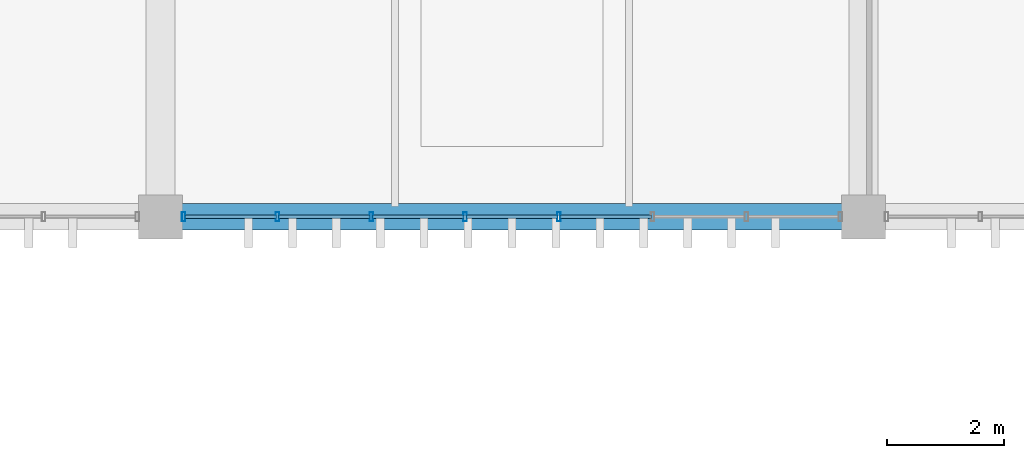
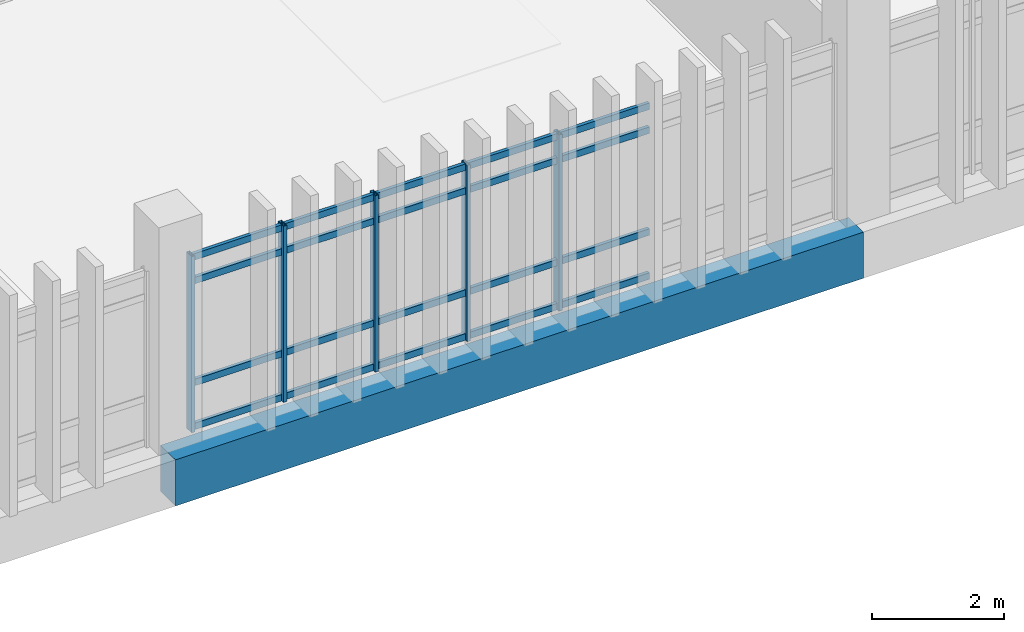
# One storey, part 25 of 111: 25 members, 1 beam, 1 element without a shape of its own.
"""IFC4 building model written with IfcOpenShell, lengths in metres."""

import ifcopenshell
import ifcopenshell.guid

model = None  # the IFC model being written
_history = None  # IfcOwnerHistory: only IFC2X3 demands one
_inside = {}  # id of a spatial element -> (the spatial element, [elements in it])
_under = {}  # id of a project, library or spatial element -> (it, [spatial elements below it])
_declared = {}  # id of a project -> (the project, [libraries it declares])
_typed = {}  # id of a type object -> (the type object, [elements of that type])
_made_of = {}  # id of a material, layer set ... -> (it, [elements and type objects made of it])


def new_model(schema):
    """Start an empty IFC model of exactly this schema.

    Asked for "IFC4X3", IfcOpenShell would pick the latest addendum, in which some entities
    have other attributes; the version numbers below select the first issue.
    IFC2X3 requires an IfcOwnerHistory on every rooted entity: one is made here for all.
    """
    global model, _history
    if schema == "IFC4X3":
        model = ifcopenshell.file(schema_version=(4, 3, 0, 0))
    else:
        model = ifcopenshell.file(schema=schema)
    _inside.clear()
    _under.clear()
    _declared.clear()
    _typed.clear()
    _made_of.clear()
    _history = None
    if model.schema == "IFC2X3":
        org = make("IfcOrganization", Name="unknown")
        user = make(
            "IfcPersonAndOrganization",
            ThePerson=make("IfcPerson", FamilyName="unknown"),
            TheOrganization=org,
        )
        app = make(
            "IfcApplication",
            ApplicationDeveloper=org,
            Version="unknown",
            ApplicationFullName="unknown",
            ApplicationIdentifier="unknown",
        )
        _history = make(
            "IfcOwnerHistory",
            OwningUser=user,
            OwningApplication=app,
            ChangeAction="ADDED",
            CreationDate=0,
        )
    return model


def make(cls, **values):
    """One entity of the class cls with the attributes given. An attribute that is None is left unset."""
    return model.create_entity(
        cls, **{name: value for name, value in values.items() if value is not None}
    )


def rooted(cls, **values):
    """An entity with a GlobalId (a new one), such as an element, a storey or a relation."""
    return make(cls, GlobalId=ifcopenshell.guid.new(), OwnerHistory=_history, **values)


def si_unit(unit_type, name, prefix=None):
    """IfcSIUnit, for example si_unit("LENGTHUNIT", "METRE", prefix="MILLI")."""
    return make("IfcSIUnit", UnitType=unit_type, Prefix=prefix, Name=name)


def assignment(units):
    """IfcUnitAssignment: the units of a project."""
    return None if units is None else make("IfcUnitAssignment", Units=units)


def point(xyz):
    """IfcCartesianPoint."""
    return None if xyz is None else make("IfcCartesianPoint", Coordinates=xyz)


def direction(xyz):
    """IfcDirection."""
    return None if xyz is None else make("IfcDirection", DirectionRatios=xyz)


def frame(location, z_axis=None, x_axis=None):
    """IfcAxis2Placement3D, a coordinate frame: its origin and axes. An axis left out is left unset."""
    return make(
        "IfcAxis2Placement3D",
        Location=point(location),
        Axis=direction(z_axis),
        RefDirection=direction(x_axis),
    )


def frame_2d(location, x_axis=None):
    """IfcAxis2Placement2D, a coordinate frame in the plane: its origin and x axis."""
    return make(
        "IfcAxis2Placement2D", Location=point(location), RefDirection=direction(x_axis)
    )


def origin():
    """The frame at (0, 0, 0) with its axes left unset."""
    return frame((0.0, 0.0, 0.0))


def origin_2d():
    """The frame at (0, 0) in the plane with its x axis left unset."""
    return frame_2d((0.0, 0.0))


def place(relative_to, where):
    """IfcLocalPlacement: puts the frame where relative to a parent placement (None: the world)."""
    return make(
        "IfcLocalPlacement", PlacementRelTo=relative_to, RelativePlacement=where
    )


def context(
    kind, dimensions, precision=None, world=None, true_north=None, identifier=None
):
    """IfcGeometricRepresentationContext, for example the 3D "Model" context."""
    return make(
        "IfcGeometricRepresentationContext",
        ContextIdentifier=identifier,
        ContextType=kind,
        CoordinateSpaceDimension=dimensions,
        Precision=precision,
        WorldCoordinateSystem=world,
        TrueNorth=true_north,
    )


def subcontext(parent, identifier, kind, view, scale=None):
    """IfcGeometricRepresentationSubContext, for example "Body" below "Model"."""
    return make(
        "IfcGeometricRepresentationSubContext",
        ContextIdentifier=identifier,
        ContextType=kind,
        ParentContext=parent,
        TargetScale=scale,
        TargetView=view,
    )


def project(units=None, contexts=None):
    """IfcProject with its units and contexts."""
    return rooted(
        "IfcProject",
        Name="project",
        RepresentationContexts=contexts,
        UnitsInContext=assignment(units),
    )


def spatial(cls, under=None, at=None, **own):
    """A site, building, storey or space (cls), placed at a placement, below another one or the project."""
    s = rooted(cls, ObjectPlacement=at, **own)
    if under is not None:
        _under.setdefault(under.id(), (under, []))[1].append(s)
    return s


def profile(cls, at=None, kind="AREA", **sizes):
    """A parametric profile (cls). Its sizes go by their IFC names, for example OverallWidth=200.0."""
    return make(cls, ProfileType=kind, Position=at, **sizes)


def rectangle(**sizes):
    """IfcRectangleProfileDef."""
    return profile("IfcRectangleProfileDef", **sizes)


def hollow_rectangle(**sizes):
    """IfcRectangleHollowProfileDef."""
    return profile("IfcRectangleHollowProfileDef", **sizes)


def extrude(swept, where, along, depth):
    """IfcExtrudedAreaSolid: the profile swept, set in the frame where, extruded along a direction by depth."""
    return make(
        "IfcExtrudedAreaSolid",
        SweptArea=swept,
        Position=where,
        ExtrudedDirection=direction(along),
        Depth=depth,
    )


def shape(context_of_items, identifier, shape_type, items):
    """IfcShapeRepresentation: the items that make up one representation, for example the "Body"."""
    return make(
        "IfcShapeRepresentation",
        ContextOfItems=context_of_items,
        RepresentationIdentifier=identifier,
        RepresentationType=shape_type,
        Items=items,
    )


def material(Name=None, Category=None):
    """IfcMaterial."""
    return make("IfcMaterial", Name=Name, Category=Category)


def layer(
    of_material, thickness, ventilated=None, Name=None, Category=None, Priority=None
):
    """IfcMaterialLayer: one layer of a wall or slab, of a material (None: an air gap)."""
    return make(
        "IfcMaterialLayer",
        Material=of_material,
        LayerThickness=thickness,
        IsVentilated=ventilated,
        Name=Name,
        Category=Category,
        Priority=Priority,
    )


def layer_set(layers, Name=None):
    """IfcMaterialLayerSet."""
    return make("IfcMaterialLayerSet", MaterialLayers=layers, LayerSetName=Name)


def material_profile(
    of_material, cross_section, Name=None, Category=None, Priority=None
):
    """IfcMaterialProfile: a cross section and its material."""
    return make(
        "IfcMaterialProfile",
        Name=Name,
        Material=of_material,
        Profile=cross_section,
        Priority=Priority,
        Category=Category,
    )


def profile_set(profiles, Name=None, composite=None):
    """IfcMaterialProfileSet."""
    return make(
        "IfcMaterialProfileSet",
        Name=Name,
        MaterialProfiles=profiles,
        CompositeProfile=composite,
    )


def made_of(thing, what):
    """Note that an element or type object is made of a material, layer set ...; save() writes the relation."""
    if what is not None:
        _made_of.setdefault(what.id(), (what, []))[1].append(thing)
    return thing


def type_object(cls, material=None, **own):
    """A type object (cls), such as IfcWallType, which elements share."""
    return made_of(rooted(cls, **own), material)


def element(
    cls,
    number,
    at=None,
    inside=None,
    cuts=None,
    type_object=None,
    material=None,
    context=None,
    identifier="Body",
    shape_type=None,
    held_by="IfcProductDefinitionShape",
    body=None,
    shapes=None,
    **own,
):
    """One element of the class cls, such as IfcWall. Its Tag is "e" and its number.

    at: its placement. inside: the storey or other place that contains it. cuts: it is an
    opening in that element (IfcRelVoidsElement). A single representation is given by context,
    identifier, shape_type and body (its items); several are given by shapes. held_by: the class
    of the entity that holds the representations. save() writes the other relations.
    """
    e = rooted(cls, Tag="e%d" % number, ObjectPlacement=at, **own)
    if body is not None:
        shapes = [shape(context, identifier, shape_type, body)]
    if shapes is not None:
        e.Representation = make(held_by, Representations=shapes)
    if inside is not None:
        _inside.setdefault(inside.id(), (inside, []))[1].append(e)
    if cuts is not None:
        rooted(
            "IfcRelVoidsElement", RelatingBuildingElement=cuts, RelatedOpeningElement=e
        )
    if type_object is not None:
        _typed.setdefault(type_object.id(), (type_object, []))[1].append(e)
    return made_of(e, material)


def aggregate(whole, parts):
    """IfcRelAggregates: a whole, such as a stair, and the parts it consists of."""
    return rooted("IfcRelAggregates", RelatingObject=whole, RelatedObjects=parts)


def save(model, path):
    """Write the relations noted so far, then the file.

    IfcRelAggregates (storeys below a building ...), IfcRelContainedInSpatialStructure (elements
    in a storey), IfcRelDefinesByType, IfcRelAssociatesMaterial and IfcRelDeclares: one each for
    every whole, place, type object, material and project.
    """
    for whole, parts in _under.values():
        aggregate(whole, parts)
    for where, things in _inside.values():
        rooted(
            "IfcRelContainedInSpatialStructure",
            RelatedElements=things,
            RelatingStructure=where,
        )
    for kind, things in _typed.values():
        rooted("IfcRelDefinesByType", RelatedObjects=things, RelatingType=kind)
    for what, things in _made_of.values():
        rooted("IfcRelAssociatesMaterial", RelatedObjects=things, RelatingMaterial=what)
    for by, libraries in _declared.values():
        rooted("IfcRelDeclares", RelatingContext=by, RelatedDefinitions=libraries)
    model.write(path)


model = new_model("IFC4")

# Units and contexts
model_context = context("Model", 3, precision=1e-05, world=origin(), true_north=direction((0.0, 1.0)))
body_context = subcontext(model_context, "Body", "Model", "MODEL_VIEW")
ifc_project = project(units=[si_unit("LENGTHUNIT", "METRE"), si_unit("AREAUNIT", "SQUARE_METRE"), si_unit("VOLUMEUNIT", "CUBIC_METRE"), si_unit("PLANEANGLEUNIT", "RADIAN"), si_unit("MASSUNIT", "GRAM", prefix="KILO")], contexts=[model_context])

# Site, building, storey
site_placement = place(None, origin())
site = spatial("IfcSite", under=ifc_project, at=site_placement, CompositionType="ELEMENT")
building_placement = place(site_placement, origin())
building = spatial("IfcBuilding", under=site, at=building_placement, Name="Mersad Railyard Sports Hall", CompositionType="ELEMENT")
storey_placement = place(building_placement, frame((0.0, 0.0, 9.0)))
storey = spatial("IfcBuildingStorey", under=building, at=storey_placement, Name="L02", CompositionType="ELEMENT", Elevation=9.0)

# Curtain wall, members
ifc_material_1 = material(Name="Aluminium 6063-T6", Category="aluminium")
ifc_layer = layer(ifc_material_1, 0.159912109375)
ifc_layer_set = layer_set([ifc_layer], Name="Aluminium 6063-T6")
curtain_wall_type = type_object("IfcCurtainWallType", Name="ARC-CW-CW54", PredefinedType="USERDEFINED", material=ifc_layer_set)
curtain_wall_placement = place(storey_placement, origin())
curtain_wall = element("IfcCurtainWall", 1, at=curtain_wall_placement, inside=storey, type_object=curtain_wall_type, Name="Curtain wall CW54-0144", ObjectType="CURTAIN WALL", PredefinedType="USERDEFINED")
ifc_material_profile_1 = material_profile(ifc_material_1, hollow_rectangle(XDim=0.06005859375, YDim=0.159912109375, WallThickness=0.00390625, at=origin_2d()), Name="AL MULLION 60x160x4")
ifc_profile_set_1 = profile_set([ifc_material_profile_1], Name="Aluminium 6063-T6")
member_type_1 = type_object("IfcMemberType", Name="ARC-CW-MUL01", PredefinedType="MULLION", material=ifc_profile_set_1)
member_1_placement = place(storey_placement, frame((61.80078125, 85.0, -0.02001953125), z_axis=(0.0, 0.0, 1.0), x_axis=(1.0, 0.0, 0.0)))
member_1 = element("IfcMember", 2, at=member_1_placement, type_object=member_type_1, Name="CW54 Mullion 4", PredefinedType="MULLION", context=body_context, shape_type="SweptSolid", body=[
    extrude(hollow_rectangle(XDim=0.06005859375, YDim=0.159912109375, WallThickness=0.00390625, at=origin_2d()), origin(), (0.0, 0.0, 1.0), 3.25),
])
member_2_placement = place(storey_placement, frame((60.19921875, 85.0, -0.02001953125), z_axis=(0.0, 0.0, 1.0), x_axis=(1.0, 0.0, 0.0)))
member_2 = element("IfcMember", 3, at=member_2_placement, type_object=member_type_1, Name="CW54 Mullion 5", PredefinedType="MULLION", context=body_context, shape_type="SweptSolid", body=[
    extrude(hollow_rectangle(XDim=0.06005859375, YDim=0.159912109375, WallThickness=0.00390625, at=origin_2d()), origin(), (0.0, 0.0, 1.0), 3.25),
])
member_3_placement = place(storey_placement, frame((58.597900390625, 85.0, -0.02001953125), z_axis=(0.0, 0.0, 1.0), x_axis=(1.0, 0.0, 0.0)))
member_3 = element("IfcMember", 4, at=member_3_placement, type_object=member_type_1, Name="CW54 Mullion 6", PredefinedType="MULLION", context=body_context, shape_type="SweptSolid", body=[
    extrude(hollow_rectangle(XDim=0.06005859375, YDim=0.159912109375, WallThickness=0.00390625, at=origin_2d()), origin(), (0.0, 0.0, 1.0), 3.25),
])
member_4_placement = place(storey_placement, frame((56.996337890625, 85.0, -0.02001953125), z_axis=(0.0, 0.0, 1.0), x_axis=(1.0, 0.0, 0.0)))
member_4 = element("IfcMember", 5, at=member_4_placement, type_object=member_type_1, Name="CW54 Mullion 7", PredefinedType="MULLION", context=body_context, shape_type="SweptSolid", body=[
    extrude(hollow_rectangle(XDim=0.06005859375, YDim=0.159912109375, WallThickness=0.00390625, at=origin_2d()), origin(), (0.0, 0.0, 1.0), 3.25),
])
member_5_placement = place(storey_placement, frame((55.39501953125, 85.0, -0.02001953125), z_axis=(0.0, 0.0, 1.0), x_axis=(1.0, 0.0, 0.0)))
member_5 = element("IfcMember", 6, at=member_5_placement, type_object=member_type_1, Name="CW54 Mullion 8", PredefinedType="MULLION", context=body_context, shape_type="SweptSolid", body=[
    extrude(hollow_rectangle(XDim=0.06005859375, YDim=0.159912109375, WallThickness=0.00390625, at=origin_2d()), origin(), (0.0, 0.0, 1.0), 3.25),
])
ifc_material_profile_2 = material_profile(ifc_material_1, hollow_rectangle(XDim=0.06005859375, YDim=0.1201171875, WallThickness=0.00390625, at=origin_2d()), Name="AL TRANSOM 60x120x4")
ifc_profile_set_2 = profile_set([ifc_material_profile_2], Name="Aluminium 6063-T6")
member_type_2 = type_object("IfcMemberType", Name="ARC-CW-TRN01", PredefinedType="USERDEFINED", material=ifc_profile_set_2)
member_6_placement = place(storey_placement, frame((63.382080078125, 85.0, 0.0400390625), z_axis=(-1.0, 0.0, 0.0), x_axis=(0.0, -1.0, 0.0)))
member_6 = element("IfcMember", 7, at=member_6_placement, type_object=member_type_2, Name="CW54 Transom 1-3", ObjectType="TRANSOM", PredefinedType="USERDEFINED", context=body_context, shape_type="SweptSolid", body=[
    extrude(hollow_rectangle(XDim=0.06005859375, YDim=0.1201171875, WallThickness=0.00390625, at=origin_2d()), origin(), (0.0, 0.0, 1.0), 1.561279296875),
])
member_7_placement = place(storey_placement, frame((61.78076171875, 85.0, 0.0400390625), z_axis=(-1.0, 0.0, 0.0), x_axis=(0.0, -1.0, 0.0)))
member_7 = element("IfcMember", 8, at=member_7_placement, type_object=member_type_2, Name="CW54 Transom 1-4", ObjectType="TRANSOM", PredefinedType="USERDEFINED", context=body_context, shape_type="SweptSolid", body=[
    extrude(hollow_rectangle(XDim=0.06005859375, YDim=0.1201171875, WallThickness=0.00390625, at=origin_2d()), origin(), (0.0, 0.0, 1.0), 1.5615234375),
])
member_8_placement = place(storey_placement, frame((60.17919921875, 85.0, 0.0400390625), z_axis=(-1.0, 0.0, 0.0), x_axis=(0.0, -1.0, 0.0)))
member_8 = element("IfcMember", 9, at=member_8_placement, type_object=member_type_2, Name="CW54 Transom 1-5", ObjectType="TRANSOM", PredefinedType="USERDEFINED", context=body_context, shape_type="SweptSolid", body=[
    extrude(hollow_rectangle(XDim=0.06005859375, YDim=0.1201171875, WallThickness=0.00390625, at=origin_2d()), origin(), (0.0, 0.0, 1.0), 1.561279296875),
])
member_9_placement = place(storey_placement, frame((58.577880859375, 85.0, 0.0400390625), z_axis=(-1.0, 0.0, 0.0), x_axis=(0.0, -1.0, 0.0)))
member_9 = element("IfcMember", 10, at=member_9_placement, type_object=member_type_2, Name="CW54 Transom 1-6", ObjectType="TRANSOM", PredefinedType="USERDEFINED", context=body_context, shape_type="SweptSolid", body=[
    extrude(hollow_rectangle(XDim=0.06005859375, YDim=0.1201171875, WallThickness=0.00390625, at=origin_2d()), origin(), (0.0, 0.0, 1.0), 1.5615234375),
])
member_10_placement = place(storey_placement, frame((56.976318359375, 85.0, 0.0400390625), z_axis=(-1.0, 0.0, 0.0), x_axis=(0.0, -1.0, 0.0)))
member_10 = element("IfcMember", 11, at=member_10_placement, type_object=member_type_2, Name="CW54 Transom 1-7", ObjectType="TRANSOM", PredefinedType="USERDEFINED", context=body_context, shape_type="SweptSolid", body=[
    extrude(hollow_rectangle(XDim=0.06005859375, YDim=0.1201171875, WallThickness=0.00390625, at=origin_2d()), origin(), (0.0, 0.0, 1.0), 1.561279296875),
])
member_11_placement = place(storey_placement, frame((63.382080078125, 85.0, 0.85009765625), z_axis=(-1.0, 0.0, 0.0), x_axis=(0.0, -1.0, 0.0)))
member_11 = element("IfcMember", 12, at=member_11_placement, type_object=member_type_2, Name="CW54 Transom 2-3", ObjectType="TRANSOM", PredefinedType="USERDEFINED", context=body_context, shape_type="SweptSolid", body=[
    extrude(hollow_rectangle(XDim=0.06005859375, YDim=0.1201171875, WallThickness=0.00390625, at=origin_2d()), origin(), (0.0, 0.0, 1.0), 1.561279296875),
])
member_12_placement = place(storey_placement, frame((61.78076171875, 85.0, 0.85009765625), z_axis=(-1.0, 0.0, 0.0), x_axis=(0.0, -1.0, 0.0)))
member_12 = element("IfcMember", 13, at=member_12_placement, type_object=member_type_2, Name="CW54 Transom 2-4", ObjectType="TRANSOM", PredefinedType="USERDEFINED", context=body_context, shape_type="SweptSolid", body=[
    extrude(hollow_rectangle(XDim=0.06005859375, YDim=0.1201171875, WallThickness=0.00390625, at=origin_2d()), origin(), (0.0, 0.0, 1.0), 1.5615234375),
])
member_13_placement = place(storey_placement, frame((60.17919921875, 85.0, 0.85009765625), z_axis=(-1.0, 0.0, 0.0), x_axis=(0.0, -1.0, 0.0)))
member_13 = element("IfcMember", 14, at=member_13_placement, type_object=member_type_2, Name="CW54 Transom 2-5", ObjectType="TRANSOM", PredefinedType="USERDEFINED", context=body_context, shape_type="SweptSolid", body=[
    extrude(hollow_rectangle(XDim=0.06005859375, YDim=0.1201171875, WallThickness=0.00390625, at=origin_2d()), origin(), (0.0, 0.0, 1.0), 1.561279296875),
])
member_14_placement = place(storey_placement, frame((58.577880859375, 85.0, 0.85009765625), z_axis=(-1.0, 0.0, 0.0), x_axis=(0.0, -1.0, 0.0)))
member_14 = element("IfcMember", 15, at=member_14_placement, type_object=member_type_2, Name="CW54 Transom 2-6", ObjectType="TRANSOM", PredefinedType="USERDEFINED", context=body_context, shape_type="SweptSolid", body=[
    extrude(hollow_rectangle(XDim=0.06005859375, YDim=0.1201171875, WallThickness=0.00390625, at=origin_2d()), origin(), (0.0, 0.0, 1.0), 1.5615234375),
])
member_15_placement = place(storey_placement, frame((56.976318359375, 85.0, 0.85009765625), z_axis=(-1.0, 0.0, 0.0), x_axis=(0.0, -1.0, 0.0)))
member_15 = element("IfcMember", 16, at=member_15_placement, type_object=member_type_2, Name="CW54 Transom 2-7", ObjectType="TRANSOM", PredefinedType="USERDEFINED", context=body_context, shape_type="SweptSolid", body=[
    extrude(hollow_rectangle(XDim=0.06005859375, YDim=0.1201171875, WallThickness=0.00390625, at=origin_2d()), origin(), (0.0, 0.0, 1.0), 1.561279296875),
])
member_16_placement = place(storey_placement, frame((63.382080078125, 85.0, 2.72998046875), z_axis=(-1.0, 0.0, 0.0), x_axis=(0.0, -1.0, 0.0)))
member_16 = element("IfcMember", 17, at=member_16_placement, type_object=member_type_2, Name="CW54 Transom 3-3", ObjectType="TRANSOM", PredefinedType="USERDEFINED", context=body_context, shape_type="SweptSolid", body=[
    extrude(hollow_rectangle(XDim=0.06005859375, YDim=0.1201171875, WallThickness=0.00390625, at=origin_2d()), origin(), (0.0, 0.0, 1.0), 1.561279296875),
])
member_17_placement = place(storey_placement, frame((61.78076171875, 85.0, 2.72998046875), z_axis=(-1.0, 0.0, 0.0), x_axis=(0.0, -1.0, 0.0)))
member_17 = element("IfcMember", 18, at=member_17_placement, type_object=member_type_2, Name="CW54 Transom 3-4", ObjectType="TRANSOM", PredefinedType="USERDEFINED", context=body_context, shape_type="SweptSolid", body=[
    extrude(hollow_rectangle(XDim=0.06005859375, YDim=0.1201171875, WallThickness=0.00390625, at=origin_2d()), origin(), (0.0, 0.0, 1.0), 1.5615234375),
])
member_18_placement = place(storey_placement, frame((60.17919921875, 85.0, 2.72998046875), z_axis=(-1.0, 0.0, 0.0), x_axis=(0.0, -1.0, 0.0)))
member_18 = element("IfcMember", 19, at=member_18_placement, type_object=member_type_2, Name="CW54 Transom 3-5", ObjectType="TRANSOM", PredefinedType="USERDEFINED", context=body_context, shape_type="SweptSolid", body=[
    extrude(hollow_rectangle(XDim=0.06005859375, YDim=0.1201171875, WallThickness=0.00390625, at=origin_2d()), origin(), (0.0, 0.0, 1.0), 1.561279296875),
])
member_19_placement = place(storey_placement, frame((58.577880859375, 85.0, 2.72998046875), z_axis=(-1.0, 0.0, 0.0), x_axis=(0.0, -1.0, 0.0)))
member_19 = element("IfcMember", 20, at=member_19_placement, type_object=member_type_2, Name="CW54 Transom 3-6", ObjectType="TRANSOM", PredefinedType="USERDEFINED", context=body_context, shape_type="SweptSolid", body=[
    extrude(hollow_rectangle(XDim=0.06005859375, YDim=0.1201171875, WallThickness=0.00390625, at=origin_2d()), origin(), (0.0, 0.0, 1.0), 1.5615234375),
])
member_20_placement = place(storey_placement, frame((56.976318359375, 85.0, 2.72998046875), z_axis=(-1.0, 0.0, 0.0), x_axis=(0.0, -1.0, 0.0)))
member_20 = element("IfcMember", 21, at=member_20_placement, type_object=member_type_2, Name="CW54 Transom 3-7", ObjectType="TRANSOM", PredefinedType="USERDEFINED", context=body_context, shape_type="SweptSolid", body=[
    extrude(hollow_rectangle(XDim=0.06005859375, YDim=0.1201171875, WallThickness=0.00390625, at=origin_2d()), origin(), (0.0, 0.0, 1.0), 1.561279296875),
])
member_21_placement = place(storey_placement, frame((63.382080078125, 85.0, 3.169921875), z_axis=(-1.0, 0.0, 0.0), x_axis=(0.0, -1.0, 0.0)))
member_21 = element("IfcMember", 22, at=member_21_placement, type_object=member_type_2, Name="CW54 Transom 4-3", ObjectType="TRANSOM", PredefinedType="USERDEFINED", context=body_context, shape_type="SweptSolid", body=[
    extrude(hollow_rectangle(XDim=0.06005859375, YDim=0.1201171875, WallThickness=0.00390625, at=origin_2d()), origin(), (0.0, 0.0, 1.0), 1.561279296875),
])
member_22_placement = place(storey_placement, frame((61.78076171875, 85.0, 3.169921875), z_axis=(-1.0, 0.0, 0.0), x_axis=(0.0, -1.0, 0.0)))
member_22 = element("IfcMember", 23, at=member_22_placement, type_object=member_type_2, Name="CW54 Transom 4-4", ObjectType="TRANSOM", PredefinedType="USERDEFINED", context=body_context, shape_type="SweptSolid", body=[
    extrude(hollow_rectangle(XDim=0.06005859375, YDim=0.1201171875, WallThickness=0.00390625, at=origin_2d()), origin(), (0.0, 0.0, 1.0), 1.5615234375),
])
member_23_placement = place(storey_placement, frame((60.17919921875, 85.0, 3.169921875), z_axis=(-1.0, 0.0, 0.0), x_axis=(0.0, -1.0, 0.0)))
member_23 = element("IfcMember", 24, at=member_23_placement, type_object=member_type_2, Name="CW54 Transom 4-5", ObjectType="TRANSOM", PredefinedType="USERDEFINED", context=body_context, shape_type="SweptSolid", body=[
    extrude(hollow_rectangle(XDim=0.06005859375, YDim=0.1201171875, WallThickness=0.00390625, at=origin_2d()), origin(), (0.0, 0.0, 1.0), 1.561279296875),
])
member_24_placement = place(storey_placement, frame((58.577880859375, 85.0, 3.169921875), z_axis=(-1.0, 0.0, 0.0), x_axis=(0.0, -1.0, 0.0)))
member_24 = element("IfcMember", 25, at=member_24_placement, type_object=member_type_2, Name="CW54 Transom 4-6", ObjectType="TRANSOM", PredefinedType="USERDEFINED", context=body_context, shape_type="SweptSolid", body=[
    extrude(hollow_rectangle(XDim=0.06005859375, YDim=0.1201171875, WallThickness=0.00390625, at=origin_2d()), origin(), (0.0, 0.0, 1.0), 1.5615234375),
])
member_25_placement = place(storey_placement, frame((56.976318359375, 85.0, 3.169921875), z_axis=(-1.0, 0.0, 0.0), x_axis=(0.0, -1.0, 0.0)))
member_25 = element("IfcMember", 26, at=member_25_placement, type_object=member_type_2, Name="CW54 Transom 4-7", ObjectType="TRANSOM", PredefinedType="USERDEFINED", context=body_context, shape_type="SweptSolid", body=[
    extrude(hollow_rectangle(XDim=0.06005859375, YDim=0.1201171875, WallThickness=0.00390625, at=origin_2d()), origin(), (0.0, 0.0, 1.0), 1.561279296875),
])
aggregate(curtain_wall, [member_1, member_2, member_3, member_4, member_5, member_6, member_7, member_8, member_9, member_10, member_11, member_12, member_13, member_14, member_15, member_16, member_17, member_18, member_19, member_20, member_21, member_22, member_23, member_24, member_25])

# Beam
ifc_material_2 = material(Name="Concrete C40/50", Category="concrete")
ifc_material_profile_3 = material_profile(ifc_material_2, rectangle(XDim=0.449951171875, YDim=0.85009765625, at=origin_2d()), Name="RC 450x850")
ifc_profile_set_3 = profile_set([ifc_material_profile_3], Name="Concrete C40/50")
beam_type = type_object("IfcBeamType", Name="STR-BM-B02", PredefinedType="BEAM", material=ifc_profile_set_3)
beam_placement = place(storey_placement, frame((55.0, 85.0, -0.72509765625), z_axis=(1.0, 0.0, 0.0), x_axis=(0.0, 1.0, 0.0)))
element("IfcBeam", 27, at=beam_placement, inside=storey, type_object=beam_type, Name="Beam B02-1066", PredefinedType="BEAM", context=body_context, shape_type="SweptSolid", body=[
    extrude(rectangle(XDim=0.449951171875, YDim=0.85009765625, at=origin_2d()), origin(), (0.0, 0.0, 1.0), 12.0),
])

save(model, "model.ifc")
